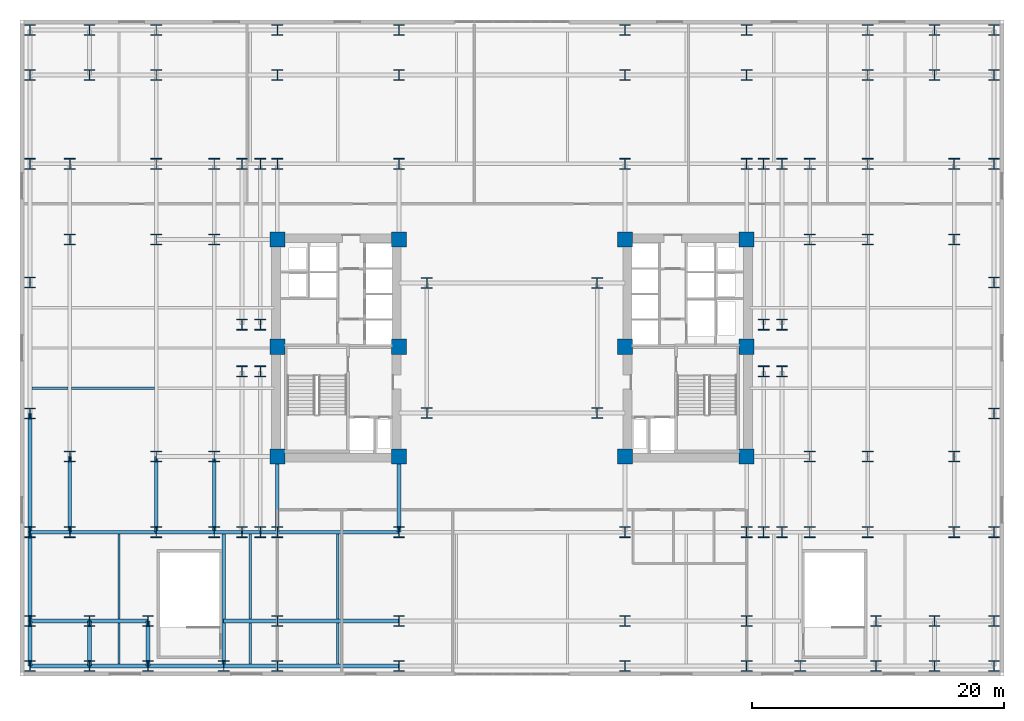
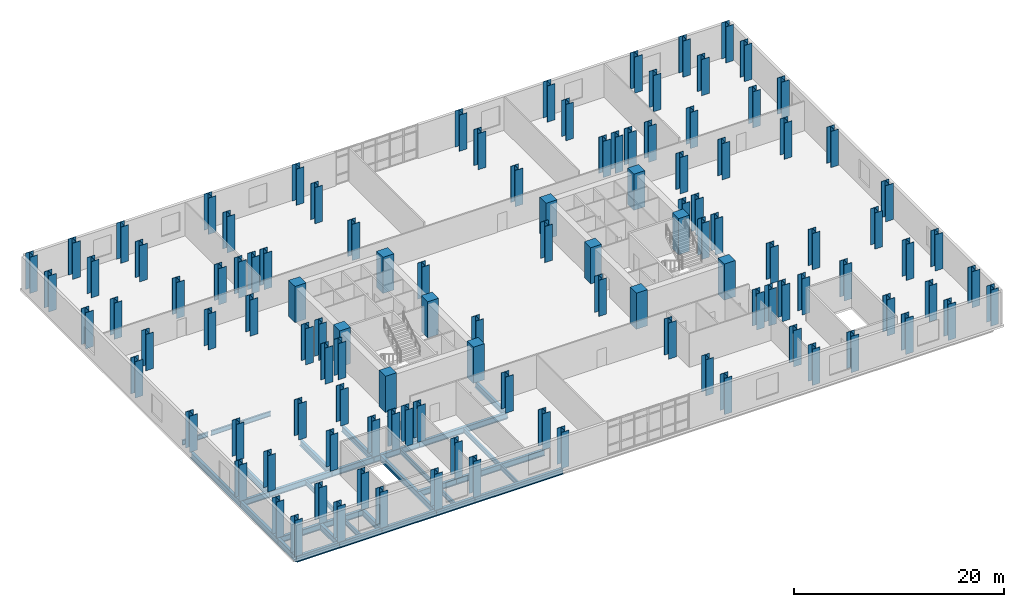
# One storey, part 1 of 13: 114 columns, 33 beams.
"""IFC4 building model written with IfcOpenShell, lengths in metres."""

from ifc_helpers import new_model, si_unit, direction, frame, origin, origin_2d, place, context, subcontext, project, spatial, rectangle, i_section, extrude, material, material_profile, profile_set, type_object, element, save


model = new_model("IFC4")

# Units and contexts
model_context = context("Model", 3, precision=1e-05, world=origin(), true_north=direction((0.0, 1.0)))
body_context = subcontext(model_context, "Body", "Model", "MODEL_VIEW")
ifc_project = project(units=[si_unit("LENGTHUNIT", "METRE"), si_unit("AREAUNIT", "SQUARE_METRE"), si_unit("VOLUMEUNIT", "CUBIC_METRE"), si_unit("PLANEANGLEUNIT", "RADIAN"), si_unit("MASSUNIT", "GRAM", prefix="KILO")], contexts=[model_context])

# Site, building, storey
site_placement = place(None, origin())
site = spatial("IfcSite", under=ifc_project, at=site_placement, CompositionType="ELEMENT")
building_placement = place(site_placement, origin())
building = spatial("IfcBuilding", under=site, at=building_placement, Name="Velakula Bourse", CompositionType="ELEMENT")
storey_placement = place(building_placement, frame((0.0, 0.0, 22.800048828125)))
storey = spatial("IfcBuildingStorey", under=building, at=storey_placement, Name="L05", CompositionType="ELEMENT", Elevation=22.800048828125)

# Columns
ifc_material_1 = material(Name="Concrete M70 (fck 70 MPa)", Category="concrete")
ifc_material_profile_1 = material_profile(ifc_material_1, rectangle(XDim=1.199951171875, YDim=1.199951171875, at=origin_2d()), Name="Concrete M70 (fck 70 MPa)")
ifc_profile_set_1 = profile_set([ifc_material_profile_1], Name="Concrete M70 (fck 70 MPa)")
column_type_1 = type_object("IfcColumnType", Name="COL-RC-1200", PredefinedType="COLUMN", material=ifc_profile_set_1)
for number, where, z_axis, x_axis, name in (
    (1, (-8.949951171875, -8.60009765625, 0.0), (0.0, 0.0, 1.0), (1.0, 0.0, 0.0), "L05 Core Boundary Column 01"),
    (2, (-8.949951171875, 0.10009765625, 0.0), (0.0, 0.0, 1.0), (1.0, 0.0, 0.0), "L05 Core Boundary Column 02"),
    (3, (-8.949951171875, 8.60009765625, 0.0), (0.0, 0.0, 1.0), (1.0, 0.0, 0.0), "L05 Core Boundary Column 03"),
    (4, (-18.60009765625, -8.60009765625, 0.0), (0.0, 0.0, 1.0), (1.0, 0.0, 0.0), "L05 Core Boundary Column 04"),
    (5, (-18.60009765625, 0.10009765625, 0.0), (0.0, 0.0, 1.0), (1.0, 0.0, 0.0), "L05 Core Boundary Column 05"),
    (6, (-18.60009765625, 8.60009765625, 0.0), (0.0, 0.0, 1.0), (1.0, 0.0, 0.0), "L05 Core Boundary Column 06"),
    (7, (8.949951171875, -8.60009765625, 0.0), (0.0, 0.0, 1.0), (1.0, 0.0, 0.0), "L05 Core Boundary Column 07"),
    (8, (8.949951171875, 0.10009765625, 0.0), (0.0, 0.0, 1.0), (1.0, 0.0, 0.0), "L05 Core Boundary Column 08"),
    (9, (8.949951171875, 8.60009765625, 0.0), (0.0, 0.0, 1.0), (1.0, 0.0, 0.0), "L05 Core Boundary Column 09"),
    (10, (18.60009765625, -8.60009765625, 0.0), (0.0, 0.0, 1.0), (1.0, 0.0, 0.0), "L05 Core Boundary Column 10"),
    (11, (18.60009765625, 0.10009765625, 0.0), (0.0, 0.0, 1.0), (1.0, 0.0, 0.0), "L05 Core Boundary Column 11"),
    (12, (18.60009765625, 8.60009765625, 0.0), (0.0, 0.0, 1.0), (1.0, 0.0, 0.0), "L05 Core Boundary Column 12"),
):
    element("IfcColumn", number, at=place(storey_placement, frame(where, z_axis=z_axis, x_axis=x_axis)), inside=storey, type_object=column_type_1, Name=name, PredefinedType="COLUMN", context=body_context, shape_type="SweptSolid", body=[
        extrude(rectangle(XDim=1.199951171875, YDim=1.199951171875, at=origin_2d()), origin(), (0.0, 0.0, 1.0), 4.199951171875),
    ])
ifc_material_2 = material(Name="Steel IS 2062 Grade 450 (E450)", Category="steel")
ifc_material_profile_2 = material_profile(ifc_material_2, i_section(OverallWidth=0.85009765625, OverallDepth=0.85009765625, WebThickness=0.031982421875, FlangeThickness=0.048095703125, at=origin_2d()), Name="Steel IS 2062 Grade 450 (E450)")
ifc_profile_set_2 = profile_set([ifc_material_profile_2], Name="Steel IS 2062 Grade 450 (E450)")
column_type_2 = type_object("IfcColumnType", Name="COL-STL-850", PredefinedType="COLUMN", material=ifc_profile_set_2)
for number, where, z_axis, x_axis, name in (
    (13, (-6.75, -5.14990234375, 0.0), (0.0, 0.0, 1.0), (1.0, 0.0, 0.0), "L05 Central Spine Column 01"),
    (14, (-6.75, 5.14990234375, 0.0), (0.0, 0.0, 1.0), (1.0, 0.0, 0.0), "L05 Central Spine Column 02"),
    (15, (6.75, -5.14990234375, 0.0), (0.0, 0.0, 1.0), (1.0, 0.0, 0.0), "L05 Central Spine Column 03"),
    (16, (6.75, 5.14990234375, 0.0), (0.0, 0.0, 1.0), (1.0, 0.0, 0.0), "L05 Central Spine Column 04"),
    (17, (-21.39990234375, -14.60009765625, 0.0), (0.0, 0.0, 1.0), (1.0, 0.0, 0.0), "L05 Tower Fulcrum Column 01"),
    (18, (-21.39990234375, 14.60009765625, 0.0), (0.0, 0.0, 1.0), (1.0, 0.0, 0.0), "L05 Tower Fulcrum Column 02"),
    (19, (-19.949951171875, -14.60009765625, 0.0), (0.0, 0.0, 1.0), (1.0, 0.0, 0.0), "L05 Tower Fulcrum Column 03"),
    (20, (-19.949951171875, 14.60009765625, 0.0), (0.0, 0.0, 1.0), (1.0, 0.0, 0.0), "L05 Tower Fulcrum Column 04"),
    (21, (-18.60009765625, -14.60009765625, 0.0), (0.0, 0.0, 1.0), (1.0, 0.0, 0.0), "L05 Tower Fulcrum Column 05"),
    (22, (-18.60009765625, 14.60009765625, 0.0), (0.0, 0.0, 1.0), (1.0, 0.0, 0.0), "L05 Tower Fulcrum Column 06"),
    (23, (-8.949951171875, -14.60009765625, 0.0), (0.0, 0.0, 1.0), (1.0, 0.0, 0.0), "L05 Tower Fulcrum Column 07"),
    (24, (-8.949951171875, 14.60009765625, 0.0), (0.0, 0.0, 1.0), (1.0, 0.0, 0.0), "L05 Tower Fulcrum Column 08"),
    (25, (8.949951171875, -14.60009765625, 0.0), (0.0, 0.0, 1.0), (1.0, 0.0, 0.0), "L05 Tower Fulcrum Column 09"),
    (26, (8.949951171875, 14.60009765625, 0.0), (0.0, 0.0, 1.0), (1.0, 0.0, 0.0), "L05 Tower Fulcrum Column 10"),
    (27, (18.60009765625, -14.60009765625, 0.0), (0.0, 0.0, 1.0), (1.0, 0.0, 0.0), "L05 Tower Fulcrum Column 11"),
    (28, (18.60009765625, 14.60009765625, 0.0), (0.0, 0.0, 1.0), (1.0, 0.0, 0.0), "L05 Tower Fulcrum Column 12"),
    (29, (19.949951171875, -14.60009765625, 0.0), (0.0, 0.0, 1.0), (1.0, 0.0, 0.0), "L05 Tower Fulcrum Column 13"),
    (30, (19.949951171875, 14.60009765625, 0.0), (0.0, 0.0, 1.0), (1.0, 0.0, 0.0), "L05 Tower Fulcrum Column 14"),
    (31, (21.39990234375, -14.60009765625, 0.0), (0.0, 0.0, 1.0), (1.0, 0.0, 0.0), "L05 Tower Fulcrum Column 15"),
    (32, (21.39990234375, 14.60009765625, 0.0), (0.0, 0.0, 1.0), (1.0, 0.0, 0.0), "L05 Tower Fulcrum Column 16"),
    (33, (-21.39990234375, -1.85009765625, 0.0), (0.0, 0.0, 1.0), (1.0, 0.0, 0.0), "L05 Tower Fulcrum Column 17"),
    (34, (-21.39990234375, 1.85009765625, 0.0), (0.0, 0.0, 1.0), (1.0, 0.0, 0.0), "L05 Tower Fulcrum Column 18"),
    (35, (-19.949951171875, -1.85009765625, 0.0), (0.0, 0.0, 1.0), (1.0, 0.0, 0.0), "L05 Tower Fulcrum Column 19"),
    (36, (-19.949951171875, 1.85009765625, 0.0), (0.0, 0.0, 1.0), (1.0, 0.0, 0.0), "L05 Tower Fulcrum Column 20"),
    (37, (19.949951171875, -1.85009765625, 0.0), (0.0, 0.0, 1.0), (1.0, 0.0, 0.0), "L05 Tower Fulcrum Column 21"),
    (38, (19.949951171875, 1.85009765625, 0.0), (0.0, 0.0, 1.0), (1.0, 0.0, 0.0), "L05 Tower Fulcrum Column 22"),
    (39, (21.39990234375, -1.85009765625, 0.0), (0.0, 0.0, 1.0), (1.0, 0.0, 0.0), "L05 Tower Fulcrum Column 23"),
    (40, (21.39990234375, 1.85009765625, 0.0), (0.0, 0.0, 1.0), (1.0, 0.0, 0.0), "L05 Tower Fulcrum Column 24"),
    (41, (-23.60009765625, -14.60009765625, 0.0), (0.0, 0.0, 1.0), (1.0, 0.0, 0.0), "L05 Mid-Wing Plumb Column 01"),
    (42, (-23.60009765625, -8.60009765625, 0.0), (0.0, 0.0, 1.0), (1.0, 0.0, 0.0), "L05 Mid-Wing Plumb Column 02"),
    (43, (-23.60009765625, 8.60009765625, 0.0), (0.0, 0.0, 1.0), (1.0, 0.0, 0.0), "L05 Mid-Wing Plumb Column 03"),
    (44, (-23.60009765625, 14.60009765625, 0.0), (0.0, 0.0, 1.0), (1.0, 0.0, 0.0), "L05 Mid-Wing Plumb Column 04"),
    (45, (23.60009765625, -14.60009765625, 0.0), (0.0, 0.0, 1.0), (1.0, 0.0, 0.0), "L05 Mid-Wing Plumb Column 05"),
    (46, (23.60009765625, -8.60009765625, 0.0), (0.0, 0.0, 1.0), (1.0, 0.0, 0.0), "L05 Mid-Wing Plumb Column 06"),
    (47, (23.60009765625, 8.60009765625, 0.0), (0.0, 0.0, 1.0), (1.0, 0.0, 0.0), "L05 Mid-Wing Plumb Column 07"),
    (48, (23.60009765625, 14.60009765625, 0.0), (0.0, 0.0, 1.0), (1.0, 0.0, 0.0), "L05 Mid-Wing Plumb Column 08"),
    (49, (-28.199951171875, -14.60009765625, 0.0), (0.0, 0.0, 1.0), (1.0, 0.0, 0.0), "L05 Lower Wing Column 01"),
    (50, (-28.199951171875, -8.60009765625, 0.0), (0.0, 0.0, 1.0), (1.0, 0.0, 0.0), "L05 Lower Wing Column 02"),
    (51, (-28.199951171875, 8.60009765625, 0.0), (0.0, 0.0, 1.0), (1.0, 0.0, 0.0), "L05 Lower Wing Column 03"),
    (52, (-28.199951171875, 14.60009765625, 0.0), (0.0, 0.0, 1.0), (1.0, 0.0, 0.0), "L05 Lower Wing Column 04"),
    (53, (28.199951171875, -14.60009765625, 0.0), (0.0, 0.0, 1.0), (1.0, 0.0, 0.0), "L05 Lower Wing Column 05"),
    (54, (28.199951171875, -8.60009765625, 0.0), (0.0, 0.0, 1.0), (1.0, 0.0, 0.0), "L05 Lower Wing Column 06"),
    (55, (28.199951171875, 8.60009765625, 0.0), (0.0, 0.0, 1.0), (1.0, 0.0, 0.0), "L05 Lower Wing Column 07"),
    (56, (28.199951171875, 14.60009765625, 0.0), (0.0, 0.0, 1.0), (1.0, 0.0, 0.0), "L05 Lower Wing Column 08"),
    (57, (-35.050048828125, -14.60009765625, 0.0), (0.0, 0.0, 1.0), (1.0, 0.0, 0.0), "L05 Station Podium Grid Column 01"),
    (58, (-35.050048828125, -8.60009765625, 0.0), (0.0, 0.0, 1.0), (1.0, 0.0, 0.0), "L05 Station Podium Grid Column 02"),
    (59, (-35.050048828125, 8.60009765625, 0.0), (0.0, 0.0, 1.0), (1.0, 0.0, 0.0), "L05 Station Podium Grid Column 03"),
    (60, (-35.050048828125, 14.60009765625, 0.0), (0.0, 0.0, 1.0), (1.0, 0.0, 0.0), "L05 Station Podium Grid Column 04"),
    (61, (35.050048828125, -14.60009765625, 0.0), (0.0, 0.0, 1.0), (1.0, 0.0, 0.0), "L05 Station Podium Grid Column 05"),
    (62, (35.050048828125, -8.60009765625, 0.0), (0.0, 0.0, 1.0), (1.0, 0.0, 0.0), "L05 Station Podium Grid Column 06"),
    (63, (35.050048828125, 8.60009765625, 0.0), (0.0, 0.0, 1.0), (1.0, 0.0, 0.0), "L05 Station Podium Grid Column 07"),
    (64, (35.050048828125, 14.60009765625, 0.0), (0.0, 0.0, 1.0), (1.0, 0.0, 0.0), "L05 Station Podium Grid Column 08"),
    (65, (-38.199951171875, -21.64990234375, 0.0), (0.0, 0.0, 1.0), (1.0, 0.0, 0.0), "L05 Station Podium Grid Column 09"),
    (66, (-38.199951171875, 21.64990234375, 0.0), (0.0, 0.0, 1.0), (1.0, 0.0, 0.0), "L05 Station Podium Grid Column 10"),
    (67, (-33.5, -21.64990234375, 0.0), (0.0, 0.0, 1.0), (1.0, 0.0, 0.0), "L05 Station Podium Grid Column 11"),
    (68, (-33.5, 21.64990234375, 0.0), (0.0, 0.0, 1.0), (1.0, 0.0, 0.0), "L05 Station Podium Grid Column 12"),
    (69, (-28.85009765625, -21.64990234375, 0.0), (0.0, 0.0, 1.0), (1.0, 0.0, 0.0), "L05 Station Podium Grid Column 13"),
    (70, (-28.199951171875, 21.64990234375, 0.0), (0.0, 0.0, 1.0), (1.0, 0.0, 0.0), "L05 Station Podium Grid Column 14"),
    (71, (-18.60009765625, -21.64990234375, 0.0), (0.0, 0.0, 1.0), (1.0, 0.0, 0.0), "L05 Station Podium Grid Column 15"),
    (72, (-18.60009765625, 21.64990234375, 0.0), (0.0, 0.0, 1.0), (1.0, 0.0, 0.0), "L05 Station Podium Grid Column 16"),
    (73, (-8.949951171875, -21.64990234375, 0.0), (0.0, 0.0, 1.0), (1.0, 0.0, 0.0), "L05 Station Podium Grid Column 17"),
    (74, (-8.949951171875, 21.64990234375, 0.0), (0.0, 0.0, 1.0), (1.0, 0.0, 0.0), "L05 Station Podium Grid Column 18"),
    (75, (8.949951171875, -21.64990234375, 0.0), (0.0, 0.0, 1.0), (1.0, 0.0, 0.0), "L05 Station Podium Grid Column 19"),
    (76, (8.949951171875, 21.64990234375, 0.0), (0.0, 0.0, 1.0), (1.0, 0.0, 0.0), "L05 Station Podium Grid Column 20"),
    (77, (18.60009765625, -21.64990234375, 0.0), (0.0, 0.0, 1.0), (1.0, 0.0, 0.0), "L05 Station Podium Grid Column 21"),
    (78, (18.60009765625, 21.64990234375, 0.0), (0.0, 0.0, 1.0), (1.0, 0.0, 0.0), "L05 Station Podium Grid Column 22"),
    (79, (28.85009765625, -21.64990234375, 0.0), (0.0, 0.0, 1.0), (1.0, 0.0, 0.0), "L05 Station Podium Grid Column 23"),
    (80, (28.199951171875, 21.64990234375, 0.0), (0.0, 0.0, 1.0), (1.0, 0.0, 0.0), "L05 Station Podium Grid Column 24"),
    (81, (33.5, -21.64990234375, 0.0), (0.0, 0.0, 1.0), (1.0, 0.0, 0.0), "L05 Station Podium Grid Column 25"),
    (82, (33.5, 21.64990234375, 0.0), (0.0, 0.0, 1.0), (1.0, 0.0, 0.0), "L05 Station Podium Grid Column 26"),
    (83, (38.199951171875, -21.64990234375, 0.0), (0.0, 0.0, 1.0), (1.0, 0.0, 0.0), "L05 Station Podium Grid Column 27"),
    (84, (38.199951171875, 21.64990234375, 0.0), (0.0, 0.0, 1.0), (1.0, 0.0, 0.0), "L05 Station Podium Grid Column 28"),
    (85, (-38.199951171875, -25.199951171875, 0.0), (0.0, 0.0, 1.0), (1.0, 0.0, 0.0), "L05 Station Podium Grid Column 29"),
    (86, (-38.199951171875, 25.199951171875, 0.0), (0.0, 0.0, 1.0), (1.0, 0.0, 0.0), "L05 Station Podium Grid Column 30"),
    (87, (-33.5, -25.199951171875, 0.0), (0.0, 0.0, 1.0), (1.0, 0.0, 0.0), "L05 Station Podium Grid Column 31"),
    (88, (-33.5, 25.199951171875, 0.0), (0.0, 0.0, 1.0), (1.0, 0.0, 0.0), "L05 Station Podium Grid Column 32"),
    (89, (-28.85009765625, -25.199951171875, 0.0), (0.0, 0.0, 1.0), (1.0, 0.0, 0.0), "L05 Station Podium Grid Column 33"),
    (90, (-28.199951171875, 25.199951171875, 0.0), (0.0, 0.0, 1.0), (1.0, 0.0, 0.0), "L05 Station Podium Grid Column 34"),
    (91, (-22.85009765625, -25.199951171875, 0.0), (0.0, 0.0, 1.0), (1.0, 0.0, 0.0), "L05 Station Podium Grid Column 35"),
    (92, (22.85009765625, -25.199951171875, 0.0), (0.0, 0.0, 1.0), (1.0, 0.0, 0.0), "L05 Station Podium Grid Column 36"),
    (93, (-18.60009765625, -25.199951171875, 0.0), (0.0, 0.0, 1.0), (1.0, 0.0, 0.0), "L05 Station Podium Grid Column 39"),
    (94, (-18.60009765625, 25.199951171875, 0.0), (0.0, 0.0, 1.0), (1.0, 0.0, 0.0), "L05 Station Podium Grid Column 40"),
    (95, (-8.949951171875, -25.199951171875, 0.0), (0.0, 0.0, 1.0), (1.0, 0.0, 0.0), "L05 Station Podium Grid Column 41"),
    (96, (-8.949951171875, 25.199951171875, 0.0), (0.0, 0.0, 1.0), (1.0, 0.0, 0.0), "L05 Station Podium Grid Column 42"),
    (97, (8.949951171875, -25.199951171875, 0.0), (0.0, 0.0, 1.0), (1.0, 0.0, 0.0), "L05 Station Podium Grid Column 43"),
    (98, (8.949951171875, 25.199951171875, 0.0), (0.0, 0.0, 1.0), (1.0, 0.0, 0.0), "L05 Station Podium Grid Column 44"),
    (99, (18.60009765625, -25.199951171875, 0.0), (0.0, 0.0, 1.0), (1.0, 0.0, 0.0), "L05 Station Podium Grid Column 45"),
    (100, (18.60009765625, 25.199951171875, 0.0), (0.0, 0.0, 1.0), (1.0, 0.0, 0.0), "L05 Station Podium Grid Column 46"),
    (101, (28.85009765625, -25.199951171875, 0.0), (0.0, 0.0, 1.0), (1.0, 0.0, 0.0), "L05 Station Podium Grid Column 47"),
    (102, (28.199951171875, 25.199951171875, 0.0), (0.0, 0.0, 1.0), (1.0, 0.0, 0.0), "L05 Station Podium Grid Column 48"),
    (103, (33.5, -25.199951171875, 0.0), (0.0, 0.0, 1.0), (1.0, 0.0, 0.0), "L05 Station Podium Grid Column 49"),
    (104, (33.5, 25.199951171875, 0.0), (0.0, 0.0, 1.0), (1.0, 0.0, 0.0), "L05 Station Podium Grid Column 50"),
    (105, (38.199951171875, -25.199951171875, 0.0), (0.0, 0.0, 1.0), (1.0, 0.0, 0.0), "L05 Station Podium Grid Column 51"),
    (106, (38.199951171875, 25.199951171875, 0.0), (0.0, 0.0, 1.0), (1.0, 0.0, 0.0), "L05 Station Podium Grid Column 52"),
    (107, (-38.199951171875, -14.60009765625, 0.0), (0.0, 0.0, 1.0), (1.0, 0.0, 0.0), "L05 Station Podium Grid Column 53"),
    (108, (-38.199951171875, -5.199951171875, 0.0), (0.0, 0.0, 1.0), (1.0, 0.0, 0.0), "L05 Station Podium Grid Column 54"),
    (109, (-38.199951171875, 5.199951171875, 0.0), (0.0, 0.0, 1.0), (1.0, 0.0, 0.0), "L05 Station Podium Grid Column 55"),
    (110, (-38.199951171875, 14.60009765625, 0.0), (0.0, 0.0, 1.0), (1.0, 0.0, 0.0), "L05 Station Podium Grid Column 56"),
    (111, (38.199951171875, -14.60009765625, 0.0), (0.0, 0.0, 1.0), (1.0, 0.0, 0.0), "L05 Station Podium Grid Column 57"),
    (112, (38.199951171875, -5.199951171875, 0.0), (0.0, 0.0, 1.0), (1.0, 0.0, 0.0), "L05 Station Podium Grid Column 58"),
    (113, (38.199951171875, 5.199951171875, 0.0), (0.0, 0.0, 1.0), (1.0, 0.0, 0.0), "L05 Station Podium Grid Column 59"),
    (114, (38.199951171875, 14.60009765625, 0.0), (0.0, 0.0, 1.0), (1.0, 0.0, 0.0), "L05 Station Podium Grid Column 60"),
):
    element("IfcColumn", number, at=place(storey_placement, frame(where, z_axis=z_axis, x_axis=x_axis)), inside=storey, type_object=column_type_2, Name=name, PredefinedType="COLUMN", context=body_context, shape_type="SweptSolid", body=[
        extrude(i_section(OverallWidth=0.85009765625, OverallDepth=0.85009765625, WebThickness=0.031982421875, FlangeThickness=0.048095703125, at=origin_2d()), origin(), (0.0, 0.0, 1.0), 4.199951171875),
    ])

# Beams
ifc_material_3 = material(Name="Steel IS 2062 Grade 350 (E350)", Category="steel")
ifc_material_profile_3 = material_profile(ifc_material_3, i_section(OverallWidth=0.300048828125, OverallDepth=0.699951171875, WebThickness=0.01611328125, FlangeThickness=0.02490234375, at=origin_2d()), Name="Steel IS 2062 Grade 350 (E350)")
ifc_profile_set_3 = profile_set([ifc_material_profile_3], Name="Steel IS 2062 Grade 350 (E350)")
beam_type_1 = type_object("IfcBeamType", Name="BM-POD-700", PredefinedType="BEAM", material=ifc_profile_set_3)
for number, where, z_axis, x_axis, name in (
    (115, (-18.60009765625, -14.60009765625, -0.60009765625), (0.0, 1.0, 0.0), (-1.0, 0.0, 0.0), "L05 Fulcrum Grid Girder FLC-WS"),
    (116, (-8.949951171875, -14.60009765625, -0.60009765625), (0.0, 1.0, 0.0), (-1.0, 0.0, 0.0), "L05 Fulcrum Grid Girder FLC-WCS"),
):
    element("IfcBeam", number, at=place(storey_placement, frame(where, z_axis=z_axis, x_axis=x_axis)), inside=storey, type_object=beam_type_1, Name=name, PredefinedType="BEAM", context=body_context, shape_type="SweptSolid", body=[
        extrude(i_section(OverallWidth=0.300048828125, OverallDepth=0.699951171875, WebThickness=0.01611328125, FlangeThickness=0.02490234375, at=origin_2d()), origin(), (0.0, 0.0, 1.0), 6.0),
    ])
beam_1_placement = place(storey_placement, frame((-18.60009765625, -14.60009765625, -0.60009765625), z_axis=(1.0, 0.0, 0.0), x_axis=(0.0, 1.0, 0.0)))
element("IfcBeam", 117, at=beam_1_placement, inside=storey, type_object=beam_type_1, Name="L05 Fulcrum Grid Girder FLC-S1", PredefinedType="BEAM", context=body_context, shape_type="SweptSolid", body=[
    extrude(i_section(OverallWidth=0.300048828125, OverallDepth=0.699951171875, WebThickness=0.01611328125, FlangeThickness=0.02490234375, at=origin_2d()), origin(), (0.0, 0.0, 1.0), 9.650146484375),
])
beam_2_placement = place(storey_placement, frame((-23.60009765625, -14.60009765625, -0.60009765625), z_axis=(1.0, 0.0, 0.0), x_axis=(0.0, 1.0, 0.0)))
element("IfcBeam", 118, at=beam_2_placement, inside=storey, type_object=beam_type_1, Name="L05 Fulcrum Grid Girder MWG-WS1", PredefinedType="BEAM", context=body_context, shape_type="SweptSolid", body=[
    extrude(i_section(OverallWidth=0.300048828125, OverallDepth=0.699951171875, WebThickness=0.01611328125, FlangeThickness=0.02490234375, at=origin_2d()), origin(), (0.0, 0.0, 1.0), 5.0),
])
beam_3_placement = place(storey_placement, frame((-23.60009765625, -14.60009765625, -0.60009765625), z_axis=(0.0, 1.0, 0.0), x_axis=(-1.0, 0.0, 0.0)))
element("IfcBeam", 119, at=beam_3_placement, inside=storey, type_object=beam_type_1, Name="L05 Fulcrum Grid Girder MWG-WNS1", PredefinedType="BEAM", context=body_context, shape_type="SweptSolid", body=[
    extrude(i_section(OverallWidth=0.300048828125, OverallDepth=0.699951171875, WebThickness=0.01611328125, FlangeThickness=0.02490234375, at=origin_2d()), origin(), (0.0, 0.0, 1.0), 6.0),
])
beam_4_placement = place(storey_placement, frame((-28.199951171875, -14.60009765625, -0.60009765625), z_axis=(1.0, 0.0, 0.0), x_axis=(0.0, 1.0, 0.0)))
element("IfcBeam", 120, at=beam_4_placement, inside=storey, type_object=beam_type_1, Name="L05 Fulcrum Grid Girder WNG-WS1", PredefinedType="BEAM", context=body_context, shape_type="SweptSolid", body=[
    extrude(i_section(OverallWidth=0.300048828125, OverallDepth=0.699951171875, WebThickness=0.01611328125, FlangeThickness=0.02490234375, at=origin_2d()), origin(), (0.0, 0.0, 1.0), 4.599853515625),
])
beam_5_placement = place(storey_placement, frame((-28.199951171875, -14.60009765625, -0.60009765625), z_axis=(0.0, 1.0, 0.0), x_axis=(-1.0, 0.0, 0.0)))
element("IfcBeam", 121, at=beam_5_placement, inside=storey, type_object=beam_type_1, Name="L05 Fulcrum Grid Girder WNG-WNS1", PredefinedType="BEAM", context=body_context, shape_type="SweptSolid", body=[
    extrude(i_section(OverallWidth=0.300048828125, OverallDepth=0.699951171875, WebThickness=0.01611328125, FlangeThickness=0.02490234375, at=origin_2d()), origin(), (0.0, 0.0, 1.0), 6.0),
])
beam_6_placement = place(storey_placement, frame((-22.85009765625, -25.199951171875, -0.60009765625), z_axis=(0.0, 1.0, 0.0), x_axis=(-1.0, 0.0, 0.0)))
element("IfcBeam", 122, at=beam_6_placement, inside=storey, type_object=beam_type_1, Name="L05 Podium Stairwell Header Girder STW", PredefinedType="BEAM", context=body_context, shape_type="SweptSolid", body=[
    extrude(i_section(OverallWidth=0.300048828125, OverallDepth=0.699951171875, WebThickness=0.01611328125, FlangeThickness=0.02490234375, at=origin_2d()), origin(), (0.0, 0.0, 1.0), 10.599853515625),
])
beam_7_placement = place(storey_placement, frame((-38.199951171875, -25.199951171875, -0.60009765625), z_axis=(1.0, 0.0, 0.0), x_axis=(0.0, 1.0, 0.0)))
element("IfcBeam", 123, at=beam_7_placement, inside=storey, type_object=beam_type_1, Name="L05 Podium E-W Girder 01", PredefinedType="BEAM", context=body_context, shape_type="SweptSolid", body=[
    extrude(i_section(OverallWidth=0.300048828125, OverallDepth=0.699951171875, WebThickness=0.01611328125, FlangeThickness=0.02490234375, at=origin_2d()), origin(), (0.0, 0.0, 1.0), 4.699951171875),
])
beam_8_placement = place(storey_placement, frame((-33.5, -25.199951171875, -0.60009765625), z_axis=(1.0, 0.0, 0.0), x_axis=(0.0, 1.0, 0.0)))
element("IfcBeam", 124, at=beam_8_placement, inside=storey, type_object=beam_type_1, Name="L05 Podium E-W Girder 02", PredefinedType="BEAM", context=body_context, shape_type="SweptSolid", body=[
    extrude(i_section(OverallWidth=0.300048828125, OverallDepth=0.699951171875, WebThickness=0.01611328125, FlangeThickness=0.02490234375, at=origin_2d()), origin(), (0.0, 0.0, 1.0), 4.64990234375),
])
beam_9_placement = place(storey_placement, frame((-28.85009765625, -25.199951171875, -0.60009765625), z_axis=(1.0, 0.0, 0.0), x_axis=(0.0, 1.0, 0.0)))
element("IfcBeam", 125, at=beam_9_placement, inside=storey, type_object=beam_type_1, Name="L05 Podium E-W Girder 03", PredefinedType="BEAM", context=body_context, shape_type="SweptSolid", body=[
    extrude(i_section(OverallWidth=0.300048828125, OverallDepth=0.699951171875, WebThickness=0.01611328125, FlangeThickness=0.02490234375, at=origin_2d()), origin(), (0.0, 0.0, 1.0), 6.0),
])
beam_10_placement = place(storey_placement, frame((-22.85009765625, -25.199951171875, -0.60009765625), z_axis=(1.0, 0.0, 0.0), x_axis=(0.0, 1.0, 0.0)))
element("IfcBeam", 126, at=beam_10_placement, inside=storey, type_object=beam_type_1, Name="L05 Podium E-W Girder 04", PredefinedType="BEAM", context=body_context, shape_type="SweptSolid", body=[
    extrude(i_section(OverallWidth=0.300048828125, OverallDepth=0.699951171875, WebThickness=0.01611328125, FlangeThickness=0.02490234375, at=origin_2d()), origin(), (0.0, 0.0, 1.0), 4.25),
])
beam_11_placement = place(storey_placement, frame((-18.60009765625, -25.199951171875, -0.60009765625), z_axis=(1.0, 0.0, 0.0), x_axis=(0.0, 1.0, 0.0)))
element("IfcBeam", 127, at=beam_11_placement, inside=storey, type_object=beam_type_1, Name="L05 Podium E-W Girder 05", PredefinedType="BEAM", context=body_context, shape_type="SweptSolid", body=[
    extrude(i_section(OverallWidth=0.300048828125, OverallDepth=0.699951171875, WebThickness=0.01611328125, FlangeThickness=0.02490234375, at=origin_2d()), origin(), (0.0, 0.0, 1.0), 9.650146484375),
])
beam_12_placement = place(storey_placement, frame((-38.199951171875, -21.64990234375, -0.60009765625), z_axis=(1.0, 0.0, 0.0), x_axis=(0.0, 1.0, 0.0)))
element("IfcBeam", 128, at=beam_12_placement, inside=storey, type_object=beam_type_1, Name="L05 Podium E-W Girder 12", PredefinedType="BEAM", context=body_context, shape_type="SweptSolid", body=[
    extrude(i_section(OverallWidth=0.300048828125, OverallDepth=0.699951171875, WebThickness=0.01611328125, FlangeThickness=0.02490234375, at=origin_2d()), origin(), (0.0, 0.0, 1.0), 4.699951171875),
])
beam_13_placement = place(storey_placement, frame((-33.5, -21.64990234375, -0.60009765625), z_axis=(1.0, 0.0, 0.0), x_axis=(0.0, 1.0, 0.0)))
element("IfcBeam", 129, at=beam_13_placement, inside=storey, type_object=beam_type_1, Name="L05 Podium E-W Girder 13", PredefinedType="BEAM", context=body_context, shape_type="SweptSolid", body=[
    extrude(i_section(OverallWidth=0.300048828125, OverallDepth=0.699951171875, WebThickness=0.01611328125, FlangeThickness=0.02490234375, at=origin_2d()), origin(), (0.0, 0.0, 1.0), 4.64990234375),
])
beam_14_placement = place(storey_placement, frame((-22.85009765625, -21.64990234375, -0.60009765625), z_axis=(1.0, 0.0, 0.0), x_axis=(0.0, 1.0, 0.0)))
element("IfcBeam", 130, at=beam_14_placement, inside=storey, type_object=beam_type_1, Name="L05 Podium E-W Girder 14", PredefinedType="BEAM", context=body_context, shape_type="SweptSolid", body=[
    extrude(i_section(OverallWidth=0.300048828125, OverallDepth=0.699951171875, WebThickness=0.01611328125, FlangeThickness=0.02490234375, at=origin_2d()), origin(), (0.0, 0.0, 1.0), 4.25),
])
beam_15_placement = place(storey_placement, frame((-18.60009765625, -21.64990234375, -0.60009765625), z_axis=(1.0, 0.0, 0.0), x_axis=(0.0, 1.0, 0.0)))
element("IfcBeam", 131, at=beam_15_placement, inside=storey, type_object=beam_type_1, Name="L05 Podium E-W Girder 15", PredefinedType="BEAM", context=body_context, shape_type="SweptSolid", body=[
    extrude(i_section(OverallWidth=0.300048828125, OverallDepth=0.699951171875, WebThickness=0.01611328125, FlangeThickness=0.02490234375, at=origin_2d()), origin(), (0.0, 0.0, 1.0), 9.650146484375),
])
beam_16_placement = place(storey_placement, frame((-38.199951171875, -14.60009765625, -0.60009765625), z_axis=(1.0, 0.0, 0.0), x_axis=(0.0, 1.0, 0.0)))
element("IfcBeam", 132, at=beam_16_placement, inside=storey, type_object=beam_type_1, Name="L05 Podium E-W Girder 21", PredefinedType="BEAM", context=body_context, shape_type="SweptSolid", body=[
    extrude(i_section(OverallWidth=0.300048828125, OverallDepth=0.699951171875, WebThickness=0.01611328125, FlangeThickness=0.02490234375, at=origin_2d()), origin(), (0.0, 0.0, 1.0), 3.14990234375),
])
beam_17_placement = place(storey_placement, frame((-35.050048828125, -14.60009765625, -0.60009765625), z_axis=(1.0, 0.0, 0.0), x_axis=(0.0, 1.0, 0.0)))
element("IfcBeam", 133, at=beam_17_placement, inside=storey, type_object=beam_type_1, Name="L05 Podium E-W Girder 22", PredefinedType="BEAM", context=body_context, shape_type="SweptSolid", body=[
    extrude(i_section(OverallWidth=0.300048828125, OverallDepth=0.699951171875, WebThickness=0.01611328125, FlangeThickness=0.02490234375, at=origin_2d()), origin(), (0.0, 0.0, 1.0), 6.85009765625),
])
beam_18_placement = place(storey_placement, frame((-38.199951171875, -25.199951171875, -0.60009765625), z_axis=(0.0, 1.0, 0.0), x_axis=(-1.0, 0.0, 0.0)))
element("IfcBeam", 134, at=beam_18_placement, inside=storey, type_object=beam_type_1, Name="L05 Podium N-S Girder 65", PredefinedType="BEAM", context=body_context, shape_type="SweptSolid", body=[
    extrude(i_section(OverallWidth=0.300048828125, OverallDepth=0.699951171875, WebThickness=0.01611328125, FlangeThickness=0.02490234375, at=origin_2d()), origin(), (0.0, 0.0, 1.0), 3.550048828125),
])
beam_19_placement = place(storey_placement, frame((-38.199951171875, -21.64990234375, -0.60009765625), z_axis=(0.0, 1.0, 0.0), x_axis=(-1.0, 0.0, 0.0)))
element("IfcBeam", 135, at=beam_19_placement, inside=storey, type_object=beam_type_1, Name="L05 Podium N-S Girder 66", PredefinedType="BEAM", context=body_context, shape_type="SweptSolid", body=[
    extrude(i_section(OverallWidth=0.300048828125, OverallDepth=0.699951171875, WebThickness=0.01611328125, FlangeThickness=0.02490234375, at=origin_2d()), origin(), (0.0, 0.0, 1.0), 7.0498046875),
])
beam_20_placement = place(storey_placement, frame((-38.199951171875, -14.60009765625, -0.60009765625), z_axis=(0.0, 1.0, 0.0), x_axis=(-1.0, 0.0, 0.0)))
element("IfcBeam", 136, at=beam_20_placement, inside=storey, type_object=beam_type_1, Name="L05 Podium N-S Girder 67", PredefinedType="BEAM", context=body_context, shape_type="SweptSolid", body=[
    extrude(i_section(OverallWidth=0.300048828125, OverallDepth=0.699951171875, WebThickness=0.01611328125, FlangeThickness=0.02490234375, at=origin_2d()), origin(), (0.0, 0.0, 1.0), 9.400146484375),
])
beam_21_placement = place(storey_placement, frame((-35.050048828125, -14.60009765625, -0.60009765625), z_axis=(0.0, 1.0, 0.0), x_axis=(-1.0, 0.0, 0.0)))
element("IfcBeam", 137, at=beam_21_placement, inside=storey, type_object=beam_type_1, Name="L05 Podium N-S Girder 72", PredefinedType="BEAM", context=body_context, shape_type="SweptSolid", body=[
    extrude(i_section(OverallWidth=0.300048828125, OverallDepth=0.699951171875, WebThickness=0.01611328125, FlangeThickness=0.02490234375, at=origin_2d()), origin(), (0.0, 0.0, 1.0), 6.0),
])
for number, where, z_axis, x_axis, name in (
    (138, (-33.5, -25.199951171875, -0.60009765625), (0.0, 1.0, 0.0), (-1.0, 0.0, 0.0), "L05 Podium N-S Girder 75"),
    (139, (-28.85009765625, -25.199951171875, -0.60009765625), (0.0, 1.0, 0.0), (-1.0, 0.0, 0.0), "L05 Podium N-S Girder 76"),
):
    element("IfcBeam", number, at=place(storey_placement, frame(where, z_axis=z_axis, x_axis=x_axis)), inside=storey, type_object=beam_type_1, Name=name, PredefinedType="BEAM", context=body_context, shape_type="SweptSolid", body=[
        extrude(i_section(OverallWidth=0.300048828125, OverallDepth=0.699951171875, WebThickness=0.01611328125, FlangeThickness=0.02490234375, at=origin_2d()), origin(), (0.0, 0.0, 1.0), 3.550048828125),
    ])
ifc_material_profile_4 = material_profile(ifc_material_3, i_section(OverallWidth=0.18994140625, OverallDepth=0.550048828125, WebThickness=0.01123046875, FlangeThickness=0.019287109375, at=origin_2d()), Name="Steel IS 2062 Grade 350 (E350)")
ifc_profile_set_4 = profile_set([ifc_material_profile_4], Name="Steel IS 2062 Grade 350 (E350)")
beam_type_2 = type_object("IfcBeamType", Name="JST-POD-550", PredefinedType="JOIST", material=ifc_profile_set_4)
beam_22_placement = place(storey_placement, frame((-31.14990234375, -25.050048828125, -0.525146484375), z_axis=(0.0, 1.0, 0.0), x_axis=(-1.0, 0.0, 0.0)))
element("IfcBeam", 140, at=beam_22_placement, inside=storey, type_object=beam_type_2, Name="L05 Station Podium Floor Joist 01", PredefinedType="JOIST", context=body_context, shape_type="SweptSolid", body=[
    extrude(i_section(OverallWidth=0.18994140625, OverallDepth=0.550048828125, WebThickness=0.01123046875, FlangeThickness=0.019287109375, at=origin_2d()), origin(), (0.0, 0.0, 1.0), 3.25),
])
beam_23_placement = place(storey_placement, frame((-31.14990234375, -21.5, -0.525146484375), z_axis=(0.0, 1.0, 0.0), x_axis=(-1.0, 0.0, 0.0)))
element("IfcBeam", 141, at=beam_23_placement, inside=storey, type_object=beam_type_2, Name="L05 Station Podium Floor Joist 02", PredefinedType="JOIST", context=body_context, shape_type="SweptSolid", body=[
    extrude(i_section(OverallWidth=0.18994140625, OverallDepth=0.550048828125, WebThickness=0.01123046875, FlangeThickness=0.019287109375, at=origin_2d()), origin(), (0.0, 0.0, 1.0), 6.75),
])
beam_24_placement = place(storey_placement, frame((-20.75, -25.050048828125, -0.525146484375), z_axis=(0.0, 1.0, 0.0), x_axis=(-1.0, 0.0, 0.0)))
element("IfcBeam", 142, at=beam_24_placement, inside=storey, type_object=beam_type_2, Name="L05 Station Podium Floor Joist 05", PredefinedType="JOIST", context=body_context, shape_type="SweptSolid", body=[
    extrude(i_section(OverallWidth=0.18994140625, OverallDepth=0.550048828125, WebThickness=0.01123046875, FlangeThickness=0.019287109375, at=origin_2d()), origin(), (0.0, 0.0, 1.0), 3.25),
])
beam_25_placement = place(storey_placement, frame((-20.75, -21.5, -0.525146484375), z_axis=(0.0, 1.0, 0.0), x_axis=(-1.0, 0.0, 0.0)))
element("IfcBeam", 143, at=beam_25_placement, inside=storey, type_object=beam_type_2, Name="L05 Station Podium Floor Joist 06", PredefinedType="JOIST", context=body_context, shape_type="SweptSolid", body=[
    extrude(i_section(OverallWidth=0.18994140625, OverallDepth=0.550048828125, WebThickness=0.01123046875, FlangeThickness=0.019287109375, at=origin_2d()), origin(), (0.0, 0.0, 1.0), 6.75),
])
beam_26_placement = place(storey_placement, frame((-13.800048828125, -25.050048828125, -0.525146484375), z_axis=(0.0, 1.0, 0.0), x_axis=(-1.0, 0.0, 0.0)))
element("IfcBeam", 144, at=beam_26_placement, inside=storey, type_object=beam_type_2, Name="L05 Station Podium Floor Joist 09", PredefinedType="JOIST", context=body_context, shape_type="SweptSolid", body=[
    extrude(i_section(OverallWidth=0.18994140625, OverallDepth=0.550048828125, WebThickness=0.01123046875, FlangeThickness=0.019287109375, at=origin_2d()), origin(), (0.0, 0.0, 1.0), 3.25),
])
beam_27_placement = place(storey_placement, frame((-13.800048828125, -21.5, -0.525146484375), z_axis=(0.0, 1.0, 0.0), x_axis=(-1.0, 0.0, 0.0)))
element("IfcBeam", 145, at=beam_27_placement, inside=storey, type_object=beam_type_2, Name="L05 Station Podium Floor Joist 10", PredefinedType="JOIST", context=body_context, shape_type="SweptSolid", body=[
    extrude(i_section(OverallWidth=0.18994140625, OverallDepth=0.550048828125, WebThickness=0.01123046875, FlangeThickness=0.019287109375, at=origin_2d()), origin(), (0.0, 0.0, 1.0), 6.75),
])
beam_28_placement = place(storey_placement, frame((-38.050048828125, -3.199951171875, -0.525146484375), z_axis=(1.0, 0.0, 0.0), x_axis=(0.0, 1.0, 0.0)))
element("IfcBeam", 146, at=beam_28_placement, inside=storey, type_object=beam_type_2, Name="L05 Station Wing Floor Joist 33", PredefinedType="JOIST", context=body_context, shape_type="SweptSolid", body=[
    extrude(i_section(OverallWidth=0.18994140625, OverallDepth=0.550048828125, WebThickness=0.01123046875, FlangeThickness=0.019287109375, at=origin_2d()), origin(), (0.0, 0.0, 1.0), 2.85009765625),
])
beam_29_placement = place(storey_placement, frame((-34.89990234375, -3.199951171875, -0.525146484375), z_axis=(1.0, 0.0, 0.0), x_axis=(0.0, 1.0, 0.0)))
element("IfcBeam", 147, at=beam_29_placement, inside=storey, type_object=beam_type_2, Name="L05 Station Wing Floor Joist 34", PredefinedType="JOIST", context=body_context, shape_type="SweptSolid", body=[
    extrude(i_section(OverallWidth=0.18994140625, OverallDepth=0.550048828125, WebThickness=0.01123046875, FlangeThickness=0.019287109375, at=origin_2d()), origin(), (0.0, 0.0, 1.0), 6.5498046875),
])

save(model, "model.ifc")
